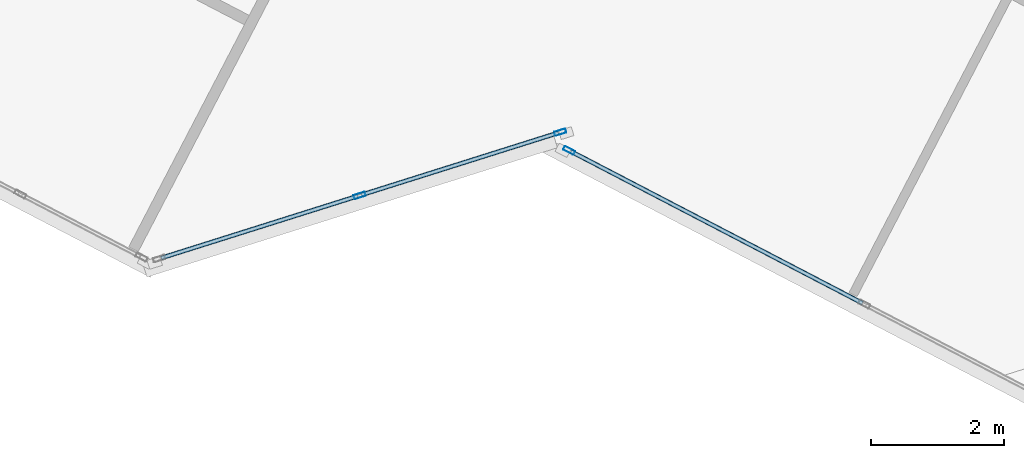
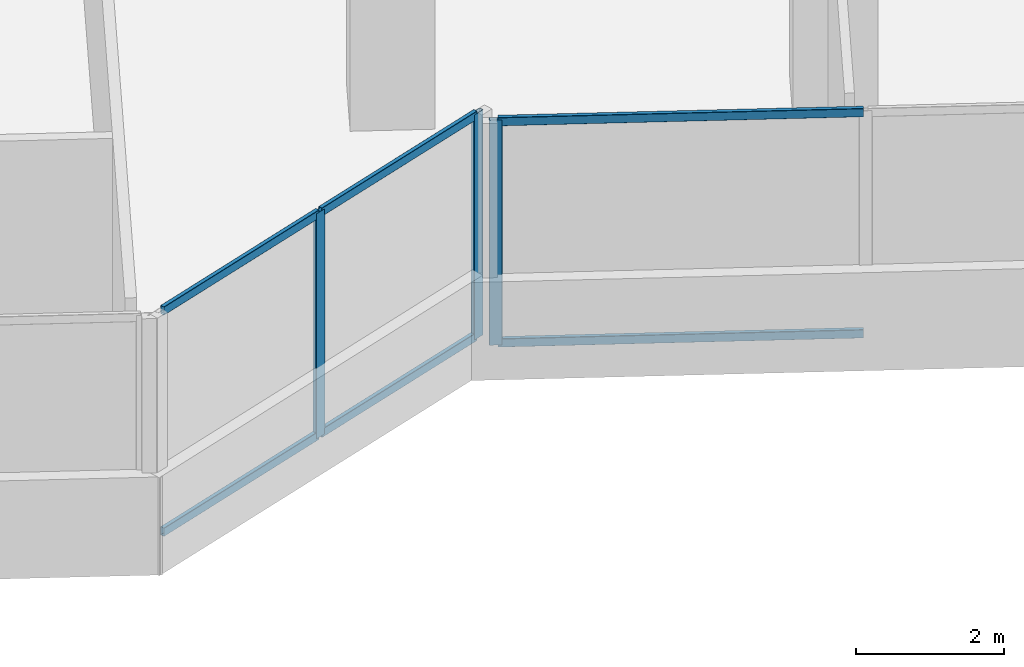
# One storey, part 5 of 22: 9 members, 2 elements without a shape of their own.
"""IFC4 building model written with IfcOpenShell, lengths in metres."""

from ifc_helpers import new_model, si_unit, direction, frame, origin, origin_2d, place, context, subcontext, project, spatial, hollow_rectangle, extrude, source, transform, mapped, material, material_profile, profile_set, type_object, element, aggregate, save


model = new_model("IFC4")

# Units and contexts
model_context = context("Model", 3, precision=1e-05, world=origin(), true_north=direction((0.0, 1.0)))
body_context = subcontext(model_context, "Body", "Model", "MODEL_VIEW")
ifc_project = project(units=[si_unit("LENGTHUNIT", "METRE"), si_unit("AREAUNIT", "SQUARE_METRE"), si_unit("VOLUMEUNIT", "CUBIC_METRE"), si_unit("PLANEANGLEUNIT", "RADIAN"), si_unit("MASSUNIT", "GRAM", prefix="KILO")], contexts=[model_context])

# Site, building, storey
site_placement = place(None, origin())
site = spatial("IfcSite", under=ifc_project, at=site_placement, CompositionType="ELEMENT")
building_placement = place(site_placement, origin())
building = spatial("IfcBuilding", under=site, at=building_placement, Name="Torre Montelarca", CompositionType="ELEMENT")
storey_placement = place(building_placement, frame((0.0, 0.0, 166.60009765625)))
storey = spatial("IfcBuildingStorey", under=building, at=storey_placement, Name="L37", CompositionType="ELEMENT", Elevation=166.60009765625)

# Curtain wall, members
ifc_material_1 = material(Name="Insulated low-E laminated glass", Category="glass")
curtain_wall_type = type_object("IfcCurtainWallType", Name="CW-SYS-Z2", PredefinedType="USERDEFINED", material=ifc_material_1)
curtain_wall_1_placement = place(storey_placement, origin())
curtain_wall_1 = element("IfcCurtainWall", 1, at=curtain_wall_1_placement, inside=storey, type_object=curtain_wall_type, Name="L37 Curtain Wall Run CW-T3-L37-E02-B1", ObjectType="UNITISED GLAZING", PredefinedType="USERDEFINED")
ifc_material_2 = material(Name="Anodised aluminium AA 6063-T6", Category="aluminium")
ifc_material_profile_1 = material_profile(ifc_material_2, hollow_rectangle(XDim=0.06494140625, YDim=0.139892578125, WallThickness=0.00390625, InnerFilletRadius=0.00390625, OuterFilletRadius=0.008056640625, at=origin_2d()), Name="ALU65X140X4", Category="aluminium")
ifc_profile_set_1 = profile_set([ifc_material_profile_1], Name="Anodised aluminium AA 6063-T6")
member_type_1 = type_object("IfcMemberType", Name="CWT-ALU140", PredefinedType="USERDEFINED", material=ifc_profile_set_1)
shared_shape_1 = source(origin(), body_context, "Body", "SweptSolid", [
    extrude(hollow_rectangle(XDim=0.06494140625, YDim=0.139892578125, WallThickness=0.00390625, InnerFilletRadius=0.00390625, OuterFilletRadius=0.008056640625, at=origin_2d()), origin(), (0.0, 0.0, 1.0), 3.102294921875),
])
member_1_placement = place(storey_placement, frame((22.94580078125, 11.016845703125, 0.032470703125), z_axis=(0.953719343554, 0.30069821039, 0.0), x_axis=(-0.30069821039, 0.953719343554, 0.0)))
member_1 = element("IfcMember", 2, at=member_1_placement, type_object=member_type_1, Name="CW transom 1.1", ObjectType="TRANSOM", PredefinedType="USERDEFINED", context=body_context, shape_type="MappedRepresentation", body=[
    mapped(shared_shape_1, transform((0.0, 0.0, 0.0), scale=1.0)),
])
member_2_placement = place(storey_placement, frame((22.94580078125, 11.016845703125, 3.6875), z_axis=(0.953719343554, 0.30069821039, 0.0), x_axis=(-0.30069821039, 0.953719343554, 0.0)))
member_2 = element("IfcMember", 3, at=member_2_placement, type_object=member_type_1, Name="CW transom 1.2", ObjectType="TRANSOM", PredefinedType="USERDEFINED", context=body_context, shape_type="MappedRepresentation", body=[
    mapped(shared_shape_1, transform((0.0, 0.0, 0.0), scale=1.0)),
])
shared_shape_2 = source(origin(), body_context, "Body", "SweptSolid", [
    extrude(hollow_rectangle(XDim=0.06494140625, YDim=0.139892578125, WallThickness=0.00390625, InnerFilletRadius=0.00390625, OuterFilletRadius=0.008056640625, at=origin_2d()), origin(), (0.0, 0.0, 1.0), 3.1025390625),
])
member_3_placement = place(storey_placement, frame((25.966552734375, 11.96923828125, 0.032470703125), z_axis=(0.953726458417, 0.300675643367, 0.0), x_axis=(-0.300675643367, 0.953726458417, 0.0)))
member_3 = element("IfcMember", 4, at=member_3_placement, type_object=member_type_1, Name="CW transom 2.1", ObjectType="TRANSOM", PredefinedType="USERDEFINED", context=body_context, shape_type="MappedRepresentation", body=[
    mapped(shared_shape_2, transform((0.0, 0.0, 0.0), scale=1.0)),
])
member_4_placement = place(storey_placement, frame((25.966552734375, 11.96923828125, 3.6875), z_axis=(0.953726458417, 0.300675643367, 0.0), x_axis=(-0.300675643367, 0.953726458417, 0.0)))
member_4 = element("IfcMember", 5, at=member_4_placement, type_object=member_type_1, Name="CW transom 2.2", ObjectType="TRANSOM", PredefinedType="USERDEFINED", context=body_context, shape_type="MappedRepresentation", body=[
    mapped(shared_shape_2, transform((0.0, 0.0, 0.0), scale=1.0)),
])
ifc_material_profile_2 = material_profile(ifc_material_2, hollow_rectangle(XDim=0.06494140625, YDim=0.179931640625, WallThickness=0.00390625, InnerFilletRadius=0.00390625, OuterFilletRadius=0.008056640625, at=origin_2d()), Name="ALU65X180X4", Category="aluminium")
ifc_profile_set_2 = profile_set([ifc_material_profile_2], Name="Anodised aluminium AA 6063-T6")
member_type_2 = type_object("IfcMemberType", Name="CWM-ALU180", PredefinedType="MULLION", material=ifc_profile_set_2)
shared_shape_3 = source(origin(), body_context, "Body", "SweptSolid", [
    extrude(hollow_rectangle(XDim=0.06494140625, YDim=0.179931640625, WallThickness=0.00390625, InnerFilletRadius=0.00390625, OuterFilletRadius=0.008056640625, at=origin_2d()), origin(), (0.0, 0.0, 1.0), 3.719970703125),
])
member_5_placement = place(storey_placement, frame((25.935546875, 11.95947265625, 0.0), z_axis=(0.0, 0.0, 1.0), x_axis=(-0.300702850836, 0.953717880455, 0.0)))
member_5 = element("IfcMember", 6, at=member_5_placement, type_object=member_type_2, Name="CW mullion 2", PredefinedType="MULLION", context=body_context, shape_type="MappedRepresentation", body=[
    mapped(shared_shape_3, transform((0.0, 0.0, 0.0), scale=1.0)),
])
member_6_placement = place(storey_placement, frame((28.95654296875, 12.911865234375, 0.0), z_axis=(0.0, 0.0, 1.0), x_axis=(-0.300702850836, 0.953717880455, 0.0)))
member_6 = element("IfcMember", 7, at=member_6_placement, type_object=member_type_2, Name="CW mullion 3", PredefinedType="MULLION", context=body_context, shape_type="MappedRepresentation", body=[
    mapped(shared_shape_3, transform((0.0, 0.0, 0.0), scale=1.0)),
])
aggregate(curtain_wall_1, [member_5, member_6, member_1, member_2, member_3, member_4])

curtain_wall_2_placement = place(storey_placement, origin())
curtain_wall_2 = element("IfcCurtainWall", 8, at=curtain_wall_2_placement, inside=storey, type_object=curtain_wall_type, Name="L37 Curtain Wall Run CW-T3-L37-E04-B1", ObjectType="UNITISED GLAZING", PredefinedType="USERDEFINED")
member_7_placement = place(storey_placement, frame((29.09130859375, 12.636962890625, 0.0), z_axis=(0.0, 0.0, 1.0), x_axis=(0.461743609762, 0.887013437803, 0.0)))
member_7 = element("IfcMember", 9, at=member_7_placement, type_object=member_type_2, Name="CW mullion 1", PredefinedType="MULLION", context=body_context, shape_type="MappedRepresentation", body=[
    mapped(shared_shape_3, transform((0.0, 0.0, 0.0), scale=1.0)),
])
shared_shape_4 = source(origin(), body_context, "Body", "SweptSolid", [
    extrude(hollow_rectangle(XDim=0.06494140625, YDim=0.139892578125, WallThickness=0.00390625, InnerFilletRadius=0.00390625, OuterFilletRadius=0.008056640625, at=origin_2d()), origin(), (0.0, 0.0, 1.0), 4.948486328125),
])
member_8_placement = place(storey_placement, frame((29.1201171875, 12.621826171875, 0.032470703125), z_axis=(0.887016390061, -0.461737938405, 0.0), x_axis=(0.461737938405, 0.887016390061, 0.0)))
member_8 = element("IfcMember", 10, at=member_8_placement, type_object=member_type_1, Name="CW transom 1.1", ObjectType="TRANSOM", PredefinedType="USERDEFINED", context=body_context, shape_type="MappedRepresentation", body=[
    mapped(shared_shape_4, transform((0.0, 0.0, 0.0), scale=1.0)),
])
member_9_placement = place(storey_placement, frame((29.1201171875, 12.621826171875, 3.6875), z_axis=(0.887016390061, -0.461737938405, 0.0), x_axis=(0.461737938405, 0.887016390061, 0.0)))
member_9 = element("IfcMember", 11, at=member_9_placement, type_object=member_type_1, Name="CW transom 1.2", ObjectType="TRANSOM", PredefinedType="USERDEFINED", context=body_context, shape_type="MappedRepresentation", body=[
    mapped(shared_shape_4, transform((0.0, 0.0, 0.0), scale=1.0)),
])
aggregate(curtain_wall_2, [member_7, member_8, member_9])

save(model, "model.ifc")
